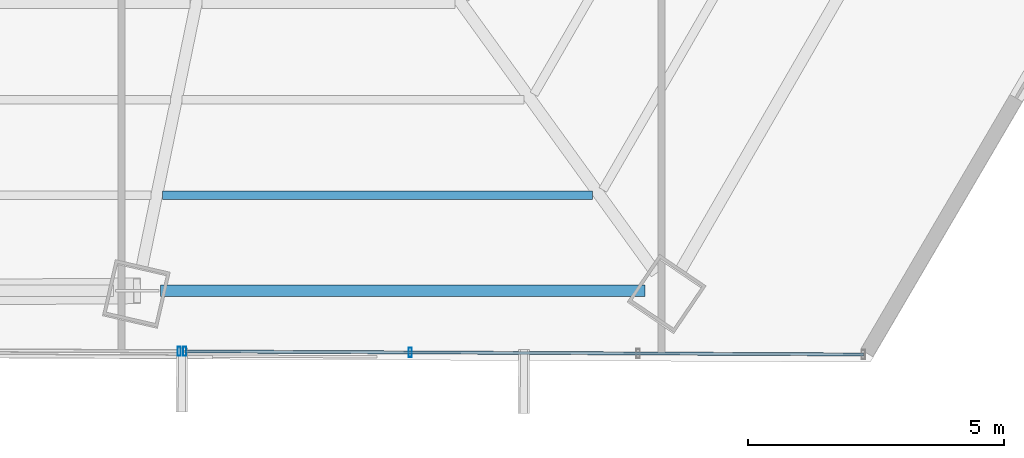
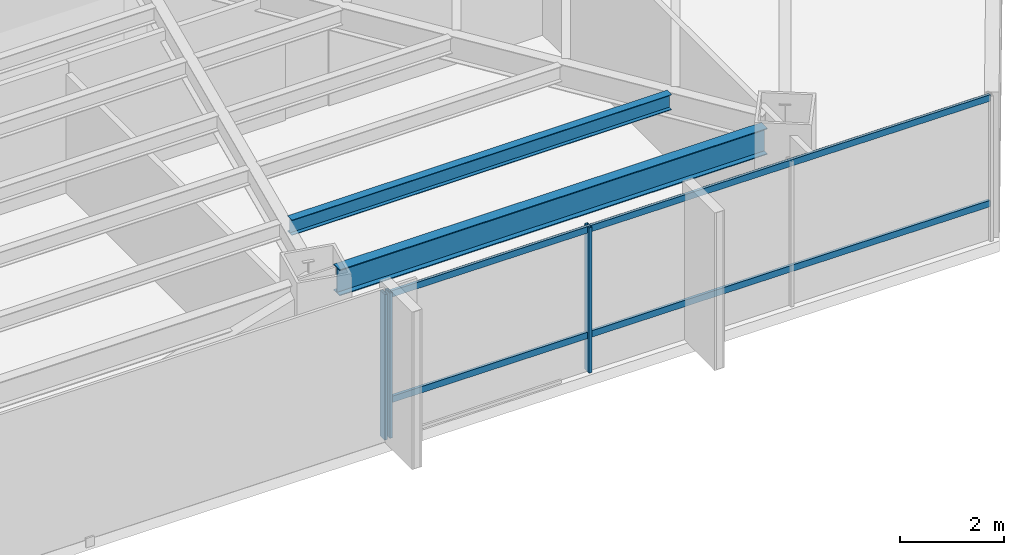
# One storey, part 16 of 35: 5 members, 2 beams, 2 elements without a shape of their own.
"""IFC4 building model written with IfcOpenShell, lengths in metres."""

from ifc_helpers import new_model, si_unit, direction, frame, origin, origin_2d, place, context, subcontext, project, spatial, hollow_rectangle, i_section, extrude, source, transform, mapped, material, material_profile, profile_set, type_object, type_shapes, element, aggregate, save


model = new_model("IFC4")

# Units and contexts
model_context = context("Model", 3, precision=1e-05, world=origin(), true_north=direction((0.0, 1.0)))
body_context = subcontext(model_context, "Body", "Model", "MODEL_VIEW")
ifc_project = project(units=[si_unit("LENGTHUNIT", "METRE"), si_unit("AREAUNIT", "SQUARE_METRE"), si_unit("VOLUMEUNIT", "CUBIC_METRE"), si_unit("PLANEANGLEUNIT", "RADIAN"), si_unit("MASSUNIT", "GRAM", prefix="KILO")], contexts=[model_context])

# Site, building, storey
site_placement = place(None, origin())
site = spatial("IfcSite", under=ifc_project, at=site_placement, CompositionType="ELEMENT")
building_placement = place(site_placement, origin())
building = spatial("IfcBuilding", under=site, at=building_placement, Name="Caelisora Broadcast Tower", CompositionType="ELEMENT")
storey_placement = place(building_placement, frame((0.0, 0.0, 94.449951171875)))
storey = spatial("IfcBuildingStorey", under=building, at=storey_placement, Name="L24", CompositionType="ELEMENT", Elevation=94.449951171875)

# Beams
ifc_material_1 = material(Name="Steel Grade 350 (AS/NZS 3679.1)", Category="steel")
ifc_material_profile_1 = material_profile(ifc_material_1, i_section(OverallWidth=0.22900390625, OverallDepth=0.611572265625, WebThickness=0.011962890625, FlangeThickness=0.01953125, at=origin_2d()), Name="Steel Grade 350 (AS/NZS 3679.1)")
ifc_profile_set_1 = profile_set([ifc_material_profile_1], Name="Steel Grade 350 (AS/NZS 3679.1)")
beam_type_1 = type_object("IfcBeamType", Name="PG03", PredefinedType="BEAM", material=ifc_profile_set_1)
shared_shape_1 = source(origin(), body_context, "Body", "SweptSolid", [
    extrude(i_section(OverallWidth=0.22900390625, OverallDepth=0.611572265625, WebThickness=0.011962890625, FlangeThickness=0.01953125, at=origin_2d()), origin(), (0.0, 0.0, 1.0), 9.4677734375),
])
type_shapes(beam_type_1, [shared_shape_1])
beam_1_placement = place(storey_placement, frame((43.654052734375, 6.1962890625, 3.09423828125), z_axis=(1.0, 0.0, 0.0), x_axis=(0.0, 1.0, 0.0)))
element("IfcBeam", 1, at=beam_1_placement, inside=storey, type_object=beam_type_1, Name="L24 beam PG03", PredefinedType="BEAM", context=body_context, shape_type="MappedRepresentation", body=[
    mapped(shared_shape_1, transform((0.0, 0.0, 0.0), scale=1.0)),
])
ifc_material_profile_2 = material_profile(ifc_material_1, i_section(OverallWidth=0.172119140625, OverallDepth=0.358642578125, WebThickness=0.008056640625, FlangeThickness=0.012939453125, at=origin_2d()), Name="Steel Grade 350 (AS/NZS 3679.1)")
ifc_profile_set_2 = profile_set([ifc_material_profile_2], Name="Steel Grade 350 (AS/NZS 3679.1)")
beam_type_2 = type_object("IfcBeamType", Name="SB02", PredefinedType="JOIST", material=ifc_profile_set_2)
shared_shape_2 = source(origin(), body_context, "Body", "SweptSolid", [
    extrude(i_section(OverallWidth=0.172119140625, OverallDepth=0.358642578125, WebThickness=0.008056640625, FlangeThickness=0.012939453125, at=origin_2d()), origin(), (0.0, 0.0, 1.0), 8.40576171875),
])
type_shapes(beam_type_2, [shared_shape_2])
beam_2_placement = place(storey_placement, frame((43.691650390625, 8.063720703125, 3.220703125), z_axis=(1.0, 0.0, 0.0), x_axis=(0.0, 1.0, 0.0)))
element("IfcBeam", 2, at=beam_2_placement, inside=storey, type_object=beam_type_2, Name="L24 beam SB02", PredefinedType="JOIST", context=body_context, shape_type="MappedRepresentation", body=[
    mapped(shared_shape_2, transform((0.0, 0.0, 0.0), scale=1.0)),
])

# Curtain wall, members
ifc_material_2 = material(Name="Unitised Aluminium and Low-E Glass Curtain Wall", Category="glass")
curtain_wall_type_1 = type_object("IfcCurtainWallType", Name="CW-Z2", PredefinedType="NOTDEFINED", material=ifc_material_2)
curtain_wall_1_placement = place(storey_placement, origin())
curtain_wall_1 = element("IfcCurtainWall", 3, at=curtain_wall_1_placement, inside=storey, type_object=curtain_wall_type_1, Name="L24 curtain wall CW-Z2", PredefinedType="NOTDEFINED")
ifc_material_3 = material(Name="Aluminium 6063-T6 Anodised Terracotta Bronze", Category="aluminium")
ifc_material_profile_3 = material_profile(ifc_material_3, hollow_rectangle(XDim=0.06494140625, YDim=0.179931640625, WallThickness=0.00341796875, at=origin_2d()), Name="Aluminium 6063-T6 Anodised Terracotta Bronze")
ifc_profile_set_3 = profile_set([ifc_material_profile_3], Name="Aluminium 6063-T6 Anodised Terracotta Bronze")
member_type_1 = type_object("IfcMemberType", Name="CWM-02", PredefinedType="MULLION", material=ifc_profile_set_3)
shared_shape_3 = source(origin(), body_context, "Body", "SweptSolid", [
    extrude(hollow_rectangle(XDim=0.06494140625, YDim=0.179931640625, WallThickness=0.00341796875, at=origin_2d()), origin(), (0.0, 0.0, 1.0), 3.400146484375),
])
type_shapes(member_type_1, [shared_shape_3])
member_1_placement = place(storey_placement, frame((48.530517578125, 4.994384765625, 0.0), z_axis=(0.0, 0.0, 1.0), x_axis=(1.0, 0.0, 0.0)))
member_1 = element("IfcMember", 4, at=member_1_placement, type_object=member_type_1, Name="L24-CW-B05 mullion #2", PredefinedType="MULLION", context=body_context, shape_type="MappedRepresentation", body=[
    mapped(shared_shape_3, transform((0.0, 0.0, 0.0), scale=1.0)),
])
member_2_placement = place(storey_placement, frame((44.127685546875, 5.014404296875, 0.0), z_axis=(0.0, 0.0, 1.0), x_axis=(1.0, 0.0, 0.0)))
member_2 = element("IfcMember", 5, at=member_2_placement, type_object=member_type_1, Name="L24-CW-B05 mullion #3", PredefinedType="MULLION", context=body_context, shape_type="MappedRepresentation", body=[
    mapped(shared_shape_3, transform((0.0, 0.0, 0.0), scale=1.0)),
])

# Curtain wall, member
ifc_material_4 = material(Name="Unitised Aluminium Insulated Shadow-Box Spandrel Curtain Wall", Category="aluminium")
curtain_wall_type_2 = type_object("IfcCurtainWallType", Name="CW-SP1", PredefinedType="NOTDEFINED", material=ifc_material_4)
curtain_wall_2_placement = place(storey_placement, origin())
curtain_wall_2 = element("IfcCurtainWall", 6, at=curtain_wall_2_placement, inside=storey, type_object=curtain_wall_type_2, Name="L24 curtain wall CW-SP1", PredefinedType="NOTDEFINED")
member_3_placement = place(storey_placement, frame((44.017578125, 5.014892578125, 0.0), z_axis=(0.0, 0.0, 1.0), x_axis=(1.0, 0.0, 0.0)))
member_3 = element("IfcMember", 7, at=member_3_placement, type_object=member_type_1, Name="L24-CW-B06 mullion #0", PredefinedType="MULLION", context=body_context, shape_type="MappedRepresentation", body=[
    mapped(shared_shape_3, transform((0.0, 0.0, 0.0), scale=1.0)),
])
aggregate(curtain_wall_2, [member_3])

# Member
ifc_material_profile_4 = material_profile(ifc_material_3, hollow_rectangle(XDim=0.06005859375, YDim=0.14990234375, WallThickness=0.00341796875, at=origin_2d()), Name="Aluminium 6063-T6 Anodised Terracotta Bronze")
ifc_profile_set_4 = profile_set([ifc_material_profile_4], Name="Aluminium 6063-T6 Anodised Terracotta Bronze")
member_type_2 = type_object("IfcMemberType", Name="CWT-02", PredefinedType="USERDEFINED", material=ifc_profile_set_4)
shared_shape_4 = source(origin(), body_context, "Body", "SweptSolid", [
    extrude(hollow_rectangle(XDim=0.06005859375, YDim=0.14990234375, WallThickness=0.00341796875, at=origin_2d()), origin(), (0.0, 0.0, 1.0), 13.258544921875),
])
type_shapes(member_type_2, [shared_shape_4])
member_4_placement = place(storey_placement, frame((57.385986328125, 4.9541015625, 0.85009765625), z_axis=(-0.999989656642, 0.004548253327, 0.0), x_axis=(-0.004548253327, -0.999989656642, 0.0)))
member_4 = element("IfcMember", 8, at=member_4_placement, type_object=member_type_2, Name="L24-CW-B05 transom #1", ObjectType="TRANSOM", PredefinedType="USERDEFINED", context=body_context, shape_type="MappedRepresentation", body=[
    mapped(shared_shape_4, transform((0.0, 0.0, 0.0), scale=1.0)),
])

member_5_placement = place(storey_placement, frame((57.385986328125, 4.9541015625, 3.320068359375), z_axis=(-0.999989656642, 0.004548253327, 0.0), x_axis=(-0.004548253327, -0.999989656642, 0.0)))
member_5 = element("IfcMember", 9, at=member_5_placement, type_object=member_type_2, Name="L24-CW-B05 transom #2", ObjectType="TRANSOM", PredefinedType="USERDEFINED", context=body_context, shape_type="MappedRepresentation", body=[
    mapped(shared_shape_4, transform((0.0, 0.0, 0.0), scale=1.0)),
])

aggregate(curtain_wall_1, [member_1, member_2, member_4, member_5])

save(model, "model.ifc")
